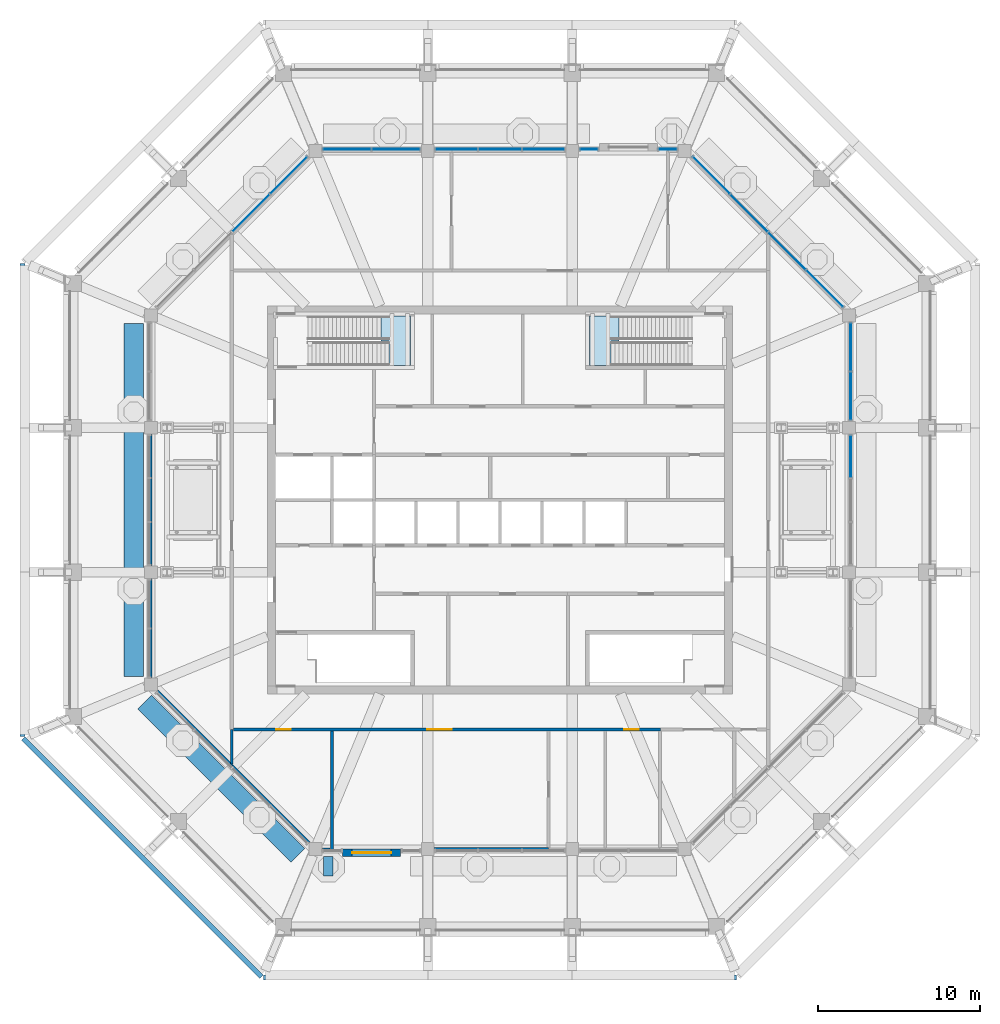
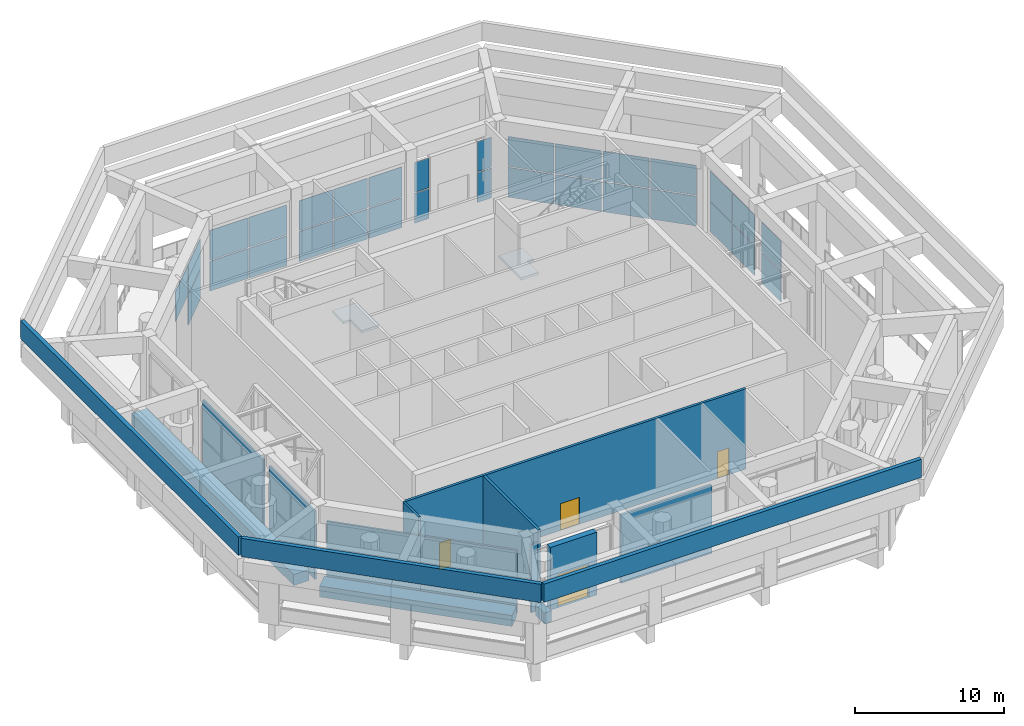
# One storey, part 13 of 29: 31 plates, 16 walls, 4 doors, 2 slabs, 4 openings, 10 elements without a shape of their own.
"""IFC4 building model written with IfcOpenShell, lengths in metres."""

from ifc_helpers import new_model, si_unit, direction, frame, frame_2d, origin, origin_2d, place, context, subcontext, project, spatial, polyline, rectangle, outline, extrude, material, layer, layer_set, type_object, element, fill, aggregate, save


model = new_model("IFC4")

# Units and contexts
model_context = context("Model", 3, precision=1e-05, world=origin(), true_north=direction((0.0, 1.0)))
body_context = subcontext(model_context, "Body", "Model", "MODEL_VIEW")
ifc_project = project(units=[si_unit("LENGTHUNIT", "METRE"), si_unit("AREAUNIT", "SQUARE_METRE"), si_unit("VOLUMEUNIT", "CUBIC_METRE"), si_unit("PLANEANGLEUNIT", "RADIAN"), si_unit("MASSUNIT", "GRAM", prefix="KILO")], contexts=[model_context])

# Site, building, storey
site_placement = place(None, origin())
site = spatial("IfcSite", under=ifc_project, at=site_placement, CompositionType="ELEMENT")
building_placement = place(site_placement, origin())
building = spatial("IfcBuilding", under=site, at=building_placement, Name="Msitu Wima Residences", CompositionType="ELEMENT")
storey_placement = place(building_placement, frame((0.0, 0.0, 320.10009765625)))
storey = spatial("IfcBuildingStorey", under=building, at=storey_placement, Name="L74", CompositionType="ELEMENT", Elevation=320.10009765625)

# Curtain wall, plates
ifc_material_1 = material(Name="Anodised aluminium, bronze finish, clear laminated double glazing", Category="aluminium")
curtain_wall_type = type_object("IfcCurtainWallType", Name="Curtain wall CW4 damper chamber wall", PredefinedType="NOTDEFINED", material=ifc_material_1)
curtain_wall_1_placement = place(storey_placement, origin())
curtain_wall_1 = element("IfcCurtainWall", 1, at=curtain_wall_1_placement, inside=storey, type_object=curtain_wall_type, Name="Curtain wall CW4 L74 CH-0b0", PredefinedType="NOTDEFINED")
ifc_material_2 = material(Name="Clear laminated double glazing", Category="glass")
ifc_layer_1 = layer(ifc_material_2, 0.0439453125)
ifc_layer_set_1 = layer_set([ifc_layer_1], Name="Clear laminated double glazing")
plate_type = type_object("IfcPlateType", Name="Glass panel CW4 44", PredefinedType="CURTAIN_PANEL", material=ifc_layer_set_1)
plate_1_placement = place(storey_placement, frame((21.699951171875, 2.691162109375, 0.0849609375), z_axis=(0.0, 0.0, 1.0), x_axis=(0.0, 1.0, 0.0)))
plate_1 = element("IfcPlate", 2, at=plate_1_placement, type_object=plate_type, Name="CW4 panel 3.1", PredefinedType="CURTAIN_PANEL", context=body_context, shape_type="SweptSolid", body=[
    extrude(rectangle(XDim=2.5849609375, YDim=0.0439453125, at=origin_2d()), origin(), (0.0, 0.0, 1.0), 2.447509765625),
])
plate_2_placement = place(storey_placement, frame((21.699951171875, 2.691162109375, 2.6171875), z_axis=(0.0, 0.0, 1.0), x_axis=(0.0, 1.0, 0.0)))
plate_2 = element("IfcPlate", 3, at=plate_2_placement, type_object=plate_type, Name="CW4 panel 3.2", PredefinedType="CURTAIN_PANEL", context=body_context, shape_type="SweptSolid", body=[
    extrude(rectangle(XDim=2.5849609375, YDim=0.0439453125, at=origin_2d()), origin(), (0.0, 0.0, 1.0), 2.447509765625),
])
aggregate(curtain_wall_1, [plate_1, plate_2])

curtain_wall_2_placement = place(storey_placement, origin())
curtain_wall_2 = element("IfcCurtainWall", 4, at=curtain_wall_2_placement, inside=storey, type_object=curtain_wall_type, Name="Curtain wall CW4 L74 CH-0c0", PredefinedType="NOTDEFINED")
plate_3_placement = place(storey_placement, frame((21.699951171875, 6.42724609375, 0.0849609375), z_axis=(0.0, 0.0, 1.0), x_axis=(0.0, 1.0, 0.0)))
plate_3 = element("IfcPlate", 5, at=plate_3_placement, type_object=plate_type, Name="CW4 panel 1.1", PredefinedType="CURTAIN_PANEL", context=body_context, shape_type="SweptSolid", body=[
    extrude(rectangle(XDim=2.947021484375, YDim=0.0439453125, at=origin_2d()), origin(), (0.0, 0.0, 1.0), 2.447509765625),
])
plate_4_placement = place(storey_placement, frame((21.699951171875, 6.42724609375, 2.6171875), z_axis=(0.0, 0.0, 1.0), x_axis=(0.0, 1.0, 0.0)))
plate_4 = element("IfcPlate", 6, at=plate_4_placement, type_object=plate_type, Name="CW4 panel 1.2", PredefinedType="CURTAIN_PANEL", context=body_context, shape_type="SweptSolid", body=[
    extrude(rectangle(XDim=2.947021484375, YDim=0.0439453125, at=origin_2d()), origin(), (0.0, 0.0, 1.0), 2.447509765625),
])
plate_5_placement = place(storey_placement, frame((21.699951171875, 9.459228515625, 0.0849609375), z_axis=(0.0, 0.0, 1.0), x_axis=(0.0, 1.0, 0.0)))
plate_5 = element("IfcPlate", 7, at=plate_5_placement, type_object=plate_type, Name="CW4 panel 2.1", PredefinedType="CURTAIN_PANEL", context=body_context, shape_type="SweptSolid", body=[
    extrude(rectangle(XDim=2.947021484375, YDim=0.0439453125, at=origin_2d()), origin(), (0.0, 0.0, 1.0), 2.447509765625),
])
plate_6_placement = place(storey_placement, frame((21.699951171875, 9.459228515625, 2.6171875), z_axis=(0.0, 0.0, 1.0), x_axis=(0.0, 1.0, 0.0)))
plate_6 = element("IfcPlate", 8, at=plate_6_placement, type_object=plate_type, Name="CW4 panel 2.2", PredefinedType="CURTAIN_PANEL", context=body_context, shape_type="SweptSolid", body=[
    extrude(rectangle(XDim=2.947021484375, YDim=0.0439453125, at=origin_2d()), origin(), (0.0, 0.0, 1.0), 2.447509765625),
])
aggregate(curtain_wall_2, [plate_3, plate_4, plate_5, plate_6])

curtain_wall_3_placement = place(storey_placement, origin())
curtain_wall_3 = element("IfcCurtainWall", 9, at=curtain_wall_3_placement, inside=storey, type_object=curtain_wall_type, Name="Curtain wall CW4 L74 CH-1a0", PredefinedType="NOTDEFINED")
plate_7_placement = place(storey_placement, frame((20.0830078125, 13.076171875, 0.0849609375), z_axis=(0.0, 0.0, 1.0), x_axis=(-0.707106781187, 0.707106781187, 0.0)))
plate_7 = element("IfcPlate", 10, at=plate_7_placement, type_object=plate_type, Name="CW4 panel 1.1", PredefinedType="CURTAIN_PANEL", context=body_context, shape_type="SweptSolid", body=[
    extrude(rectangle(XDim=3.189697265625, YDim=0.0439453125, at=origin_2d()), origin(), (0.0, 0.0, 1.0), 2.447509765625),
])
plate_8_placement = place(storey_placement, frame((20.0830078125, 13.076171875, 2.6171875), z_axis=(0.0, 0.0, 1.0), x_axis=(-0.707106781187, 0.707106781187, 0.0)))
plate_8 = element("IfcPlate", 11, at=plate_8_placement, type_object=plate_type, Name="CW4 panel 1.2", PredefinedType="CURTAIN_PANEL", context=body_context, shape_type="SweptSolid", body=[
    extrude(rectangle(XDim=3.189697265625, YDim=0.0439453125, at=origin_2d()), origin(), (0.0, 0.0, 1.0), 2.447509765625),
])
plate_9_placement = place(storey_placement, frame((17.75244140625, 15.40673828125, 0.0849609375), z_axis=(0.0, 0.0, 1.0), x_axis=(-0.707106781187, 0.707106781187, 0.0)))
plate_9 = element("IfcPlate", 12, at=plate_9_placement, type_object=plate_type, Name="CW4 panel 2.1", PredefinedType="CURTAIN_PANEL", context=body_context, shape_type="SweptSolid", body=[
    extrude(rectangle(XDim=3.232177734375, YDim=0.0439453125, at=origin_2d()), origin(), (0.0, 0.0, 1.0), 2.447509765625),
])
plate_10_placement = place(storey_placement, frame((17.75244140625, 15.40673828125, 2.6171875), z_axis=(0.0, 0.0, 1.0), x_axis=(-0.707106781187, 0.707106781187, 0.0)))
plate_10 = element("IfcPlate", 13, at=plate_10_placement, type_object=plate_type, Name="CW4 panel 2.2", PredefinedType="CURTAIN_PANEL", context=body_context, shape_type="SweptSolid", body=[
    extrude(rectangle(XDim=3.232177734375, YDim=0.0439453125, at=origin_2d()), origin(), (0.0, 0.0, 1.0), 2.447509765625),
])
plate_11_placement = place(storey_placement, frame((15.40673828125, 17.75244140625, 0.0849609375), z_axis=(0.0, 0.0, 1.0), x_axis=(-0.707106781187, 0.707106781187, 0.0)))
plate_11 = element("IfcPlate", 14, at=plate_11_placement, type_object=plate_type, Name="CW4 panel 3.1", PredefinedType="CURTAIN_PANEL", context=body_context, shape_type="SweptSolid", body=[
    extrude(rectangle(XDim=3.232177734375, YDim=0.0439453125, at=origin_2d()), origin(), (0.0, 0.0, 1.0), 2.447509765625),
])
plate_12_placement = place(storey_placement, frame((15.40673828125, 17.75244140625, 2.6171875), z_axis=(0.0, 0.0, 1.0), x_axis=(-0.707106781187, 0.707106781187, 0.0)))
plate_12 = element("IfcPlate", 15, at=plate_12_placement, type_object=plate_type, Name="CW4 panel 3.2", PredefinedType="CURTAIN_PANEL", context=body_context, shape_type="SweptSolid", body=[
    extrude(rectangle(XDim=3.232177734375, YDim=0.0439453125, at=origin_2d()), origin(), (0.0, 0.0, 1.0), 2.447509765625),
])
plate_13_placement = place(storey_placement, frame((13.076171875, 20.0830078125, 0.0849609375), z_axis=(0.0, 0.0, 1.0), x_axis=(-0.707106781187, 0.707106781187, 0.0)))
plate_13 = element("IfcPlate", 16, at=plate_13_placement, type_object=plate_type, Name="CW4 panel 4.1", PredefinedType="CURTAIN_PANEL", context=body_context, shape_type="SweptSolid", body=[
    extrude(rectangle(XDim=3.189697265625, YDim=0.0439453125, at=origin_2d()), origin(), (0.0, 0.0, 1.0), 2.447509765625),
])
plate_14_placement = place(storey_placement, frame((13.076171875, 20.0830078125, 2.6171875), z_axis=(0.0, 0.0, 1.0), x_axis=(-0.707106781187, 0.707106781187, 0.0)))
plate_14 = element("IfcPlate", 17, at=plate_14_placement, type_object=plate_type, Name="CW4 panel 4.2", PredefinedType="CURTAIN_PANEL", context=body_context, shape_type="SweptSolid", body=[
    extrude(rectangle(XDim=3.189697265625, YDim=0.0439453125, at=origin_2d()), origin(), (0.0, 0.0, 1.0), 2.447509765625),
])
aggregate(curtain_wall_3, [plate_7, plate_8, plate_9, plate_10, plate_11, plate_12, plate_13, plate_14])

curtain_wall_4_placement = place(storey_placement, origin())
curtain_wall_4 = element("IfcCurtainWall", 18, at=curtain_wall_4_placement, inside=storey, type_object=curtain_wall_type, Name="Curtain wall CW4 L74 CH-2a0", PredefinedType="NOTDEFINED")
plate_15_placement = place(storey_placement, frame((10.38037109375, 21.699951171875, 0.0849609375), z_axis=(0.0, 0.0, 1.0), x_axis=(-1.0, 0.0, 0.0)))
plate_15 = element("IfcPlate", 19, at=plate_15_placement, type_object=plate_type, Name="CW4 panel 1.1", PredefinedType="CURTAIN_PANEL", context=body_context, shape_type="SweptSolid", body=[
    extrude(rectangle(XDim=1.1044921875, YDim=0.0439453125, at=origin_2d()), origin(), (0.0, 0.0, 1.0), 2.447509765625),
])
plate_16_placement = place(storey_placement, frame((10.38037109375, 21.699951171875, 2.6171875), z_axis=(0.0, 0.0, 1.0), x_axis=(-1.0, 0.0, 0.0)))
plate_16 = element("IfcPlate", 20, at=plate_16_placement, type_object=plate_type, Name="CW4 panel 1.2", PredefinedType="CURTAIN_PANEL", context=body_context, shape_type="SweptSolid", body=[
    extrude(rectangle(XDim=1.1044921875, YDim=0.0439453125, at=origin_2d()), origin(), (0.0, 0.0, 1.0), 2.447509765625),
])
aggregate(curtain_wall_4, [plate_15, plate_16])

curtain_wall_5_placement = place(storey_placement, origin())
curtain_wall_5 = element("IfcCurtainWall", 21, at=curtain_wall_5_placement, inside=storey, type_object=curtain_wall_type, Name="Curtain wall CW4 L74 CH-2a2", PredefinedType="NOTDEFINED")
plate_17_placement = place(storey_placement, frame((5.505859375, 21.699951171875, 0.0849609375), z_axis=(0.0, 0.0, 1.0), x_axis=(-1.0, 0.0, 0.0)))
plate_17 = element("IfcPlate", 22, at=plate_17_placement, type_object=plate_type, Name="CW4 panel 1.1", PredefinedType="CURTAIN_PANEL", context=body_context, shape_type="SweptSolid", body=[
    extrude(rectangle(XDim=1.1044921875, YDim=0.0439453125, at=origin_2d()), origin(), (0.0, 0.0, 1.0), 2.447509765625),
])
plate_18_placement = place(storey_placement, frame((5.505859375, 21.699951171875, 2.6171875), z_axis=(0.0, 0.0, 1.0), x_axis=(-1.0, 0.0, 0.0)))
plate_18 = element("IfcPlate", 23, at=plate_18_placement, type_object=plate_type, Name="CW4 panel 1.2", PredefinedType="CURTAIN_PANEL", context=body_context, shape_type="SweptSolid", body=[
    extrude(rectangle(XDim=1.1044921875, YDim=0.0439453125, at=origin_2d()), origin(), (0.0, 0.0, 1.0), 2.447509765625),
])
aggregate(curtain_wall_5, [plate_17, plate_18])

curtain_wall_6_placement = place(storey_placement, origin())
curtain_wall_6 = element("IfcCurtainWall", 24, at=curtain_wall_6_placement, inside=storey, type_object=curtain_wall_type, Name="Curtain wall CW4 L74 CH-2b0", PredefinedType="NOTDEFINED")
plate_19_placement = place(storey_placement, frame((2.691162109375, 21.699951171875, 0.0849609375), z_axis=(0.0, 0.0, 1.0), x_axis=(-1.0, 0.0, 0.0)))
plate_19 = element("IfcPlate", 25, at=plate_19_placement, type_object=plate_type, Name="CW4 panel 1.1", PredefinedType="CURTAIN_PANEL", context=body_context, shape_type="SweptSolid", body=[
    extrude(rectangle(XDim=2.5849609375, YDim=0.0439453125, at=origin_2d()), origin(), (0.0, 0.0, 1.0), 2.447509765625),
])
plate_20_placement = place(storey_placement, frame((2.691162109375, 21.699951171875, 2.6171875), z_axis=(0.0, 0.0, 1.0), x_axis=(-1.0, 0.0, 0.0)))
plate_20 = element("IfcPlate", 26, at=plate_20_placement, type_object=plate_type, Name="CW4 panel 1.2", PredefinedType="CURTAIN_PANEL", context=body_context, shape_type="SweptSolid", body=[
    extrude(rectangle(XDim=2.5849609375, YDim=0.0439453125, at=origin_2d()), origin(), (0.0, 0.0, 1.0), 2.447509765625),
])
plate_21_placement = place(storey_placement, frame((0.0, 21.699951171875, 0.0849609375), z_axis=(0.0, 0.0, 1.0), x_axis=(-1.0, 0.0, 0.0)))
plate_21 = element("IfcPlate", 27, at=plate_21_placement, type_object=plate_type, Name="CW4 panel 2.1", PredefinedType="CURTAIN_PANEL", context=body_context, shape_type="SweptSolid", body=[
    extrude(rectangle(XDim=2.62744140625, YDim=0.0439453125, at=origin_2d()), origin(), (0.0, 0.0, 1.0), 2.447509765625),
])
plate_22_placement = place(storey_placement, frame((0.0, 21.699951171875, 2.6171875), z_axis=(0.0, 0.0, 1.0), x_axis=(-1.0, 0.0, 0.0)))
plate_22 = element("IfcPlate", 28, at=plate_22_placement, type_object=plate_type, Name="CW4 panel 2.2", PredefinedType="CURTAIN_PANEL", context=body_context, shape_type="SweptSolid", body=[
    extrude(rectangle(XDim=2.62744140625, YDim=0.0439453125, at=origin_2d()), origin(), (0.0, 0.0, 1.0), 2.447509765625),
])
plate_23_placement = place(storey_placement, frame((-2.691162109375, 21.699951171875, 0.0849609375), z_axis=(0.0, 0.0, 1.0), x_axis=(-1.0, 0.0, 0.0)))
plate_23 = element("IfcPlate", 29, at=plate_23_placement, type_object=plate_type, Name="CW4 panel 3.1", PredefinedType="CURTAIN_PANEL", context=body_context, shape_type="SweptSolid", body=[
    extrude(rectangle(XDim=2.5849609375, YDim=0.0439453125, at=origin_2d()), origin(), (0.0, 0.0, 1.0), 2.447509765625),
])
plate_24_placement = place(storey_placement, frame((-2.691162109375, 21.699951171875, 2.6171875), z_axis=(0.0, 0.0, 1.0), x_axis=(-1.0, 0.0, 0.0)))
plate_24 = element("IfcPlate", 30, at=plate_24_placement, type_object=plate_type, Name="CW4 panel 3.2", PredefinedType="CURTAIN_PANEL", context=body_context, shape_type="SweptSolid", body=[
    extrude(rectangle(XDim=2.5849609375, YDim=0.0439453125, at=origin_2d()), origin(), (0.0, 0.0, 1.0), 2.447509765625),
])
aggregate(curtain_wall_6, [plate_19, plate_20, plate_21, plate_22, plate_23, plate_24])

curtain_wall_7_placement = place(storey_placement, origin())
curtain_wall_7 = element("IfcCurtainWall", 31, at=curtain_wall_7_placement, inside=storey, type_object=curtain_wall_type, Name="Curtain wall CW4 L74 CH-2c0", PredefinedType="NOTDEFINED")
plate_25_placement = place(storey_placement, frame((-6.42724609375, 21.699951171875, 0.0849609375), z_axis=(0.0, 0.0, 1.0), x_axis=(-1.0, 0.0, 0.0)))
plate_25 = element("IfcPlate", 32, at=plate_25_placement, type_object=plate_type, Name="CW4 panel 1.1", PredefinedType="CURTAIN_PANEL", context=body_context, shape_type="SweptSolid", body=[
    extrude(rectangle(XDim=2.947021484375, YDim=0.0439453125, at=origin_2d()), origin(), (0.0, 0.0, 1.0), 2.447509765625),
])
plate_26_placement = place(storey_placement, frame((-6.42724609375, 21.699951171875, 2.6171875), z_axis=(0.0, 0.0, 1.0), x_axis=(-1.0, 0.0, 0.0)))
plate_26 = element("IfcPlate", 33, at=plate_26_placement, type_object=plate_type, Name="CW4 panel 1.2", PredefinedType="CURTAIN_PANEL", context=body_context, shape_type="SweptSolid", body=[
    extrude(rectangle(XDim=2.947021484375, YDim=0.0439453125, at=origin_2d()), origin(), (0.0, 0.0, 1.0), 2.447509765625),
])
plate_27_placement = place(storey_placement, frame((-9.459228515625, 21.699951171875, 0.0849609375), z_axis=(0.0, 0.0, 1.0), x_axis=(-1.0, 0.0, 0.0)))
plate_27 = element("IfcPlate", 34, at=plate_27_placement, type_object=plate_type, Name="CW4 panel 2.1", PredefinedType="CURTAIN_PANEL", context=body_context, shape_type="SweptSolid", body=[
    extrude(rectangle(XDim=2.947021484375, YDim=0.0439453125, at=origin_2d()), origin(), (0.0, 0.0, 1.0), 2.447509765625),
])
plate_28_placement = place(storey_placement, frame((-9.459228515625, 21.699951171875, 2.6171875), z_axis=(0.0, 0.0, 1.0), x_axis=(-1.0, 0.0, 0.0)))
plate_28 = element("IfcPlate", 35, at=plate_28_placement, type_object=plate_type, Name="CW4 panel 2.2", PredefinedType="CURTAIN_PANEL", context=body_context, shape_type="SweptSolid", body=[
    extrude(rectangle(XDim=2.947021484375, YDim=0.0439453125, at=origin_2d()), origin(), (0.0, 0.0, 1.0), 2.447509765625),
])
aggregate(curtain_wall_7, [plate_25, plate_26, plate_27, plate_28])

curtain_wall_8_placement = place(storey_placement, origin())
curtain_wall_8 = element("IfcCurtainWall", 36, at=curtain_wall_8_placement, inside=storey, type_object=curtain_wall_type, Name="Curtain wall CW4 L74 CH-3a0", PredefinedType="NOTDEFINED")
plate_29_placement = place(storey_placement, frame((-13.076171875, 20.0830078125, 0.0849609375), z_axis=(0.0, 0.0, 1.0), x_axis=(-0.707106781187, -0.707106781187, 0.0)))
plate_29 = element("IfcPlate", 37, at=plate_29_placement, type_object=plate_type, Name="CW4 panel 1.1", PredefinedType="CURTAIN_PANEL", context=body_context, shape_type="SweptSolid", body=[
    extrude(rectangle(XDim=3.189697265625, YDim=0.0439453125, at=origin_2d()), origin(), (0.0, 0.0, 1.0), 2.447509765625),
])
plate_30_placement = place(storey_placement, frame((-13.076171875, 20.0830078125, 2.6171875), z_axis=(0.0, 0.0, 1.0), x_axis=(-0.707106781187, -0.707106781187, 0.0)))
plate_30 = element("IfcPlate", 38, at=plate_30_placement, type_object=plate_type, Name="CW4 panel 1.2", PredefinedType="CURTAIN_PANEL", context=body_context, shape_type="SweptSolid", body=[
    extrude(rectangle(XDim=3.189697265625, YDim=0.0439453125, at=origin_2d()), origin(), (0.0, 0.0, 1.0), 2.447509765625),
])
plate_31_placement = place(storey_placement, frame((-15.40673828125, 17.75244140625, 2.6171875), z_axis=(0.0, 0.0, 1.0), x_axis=(-0.707106781187, -0.707106781187, 0.0)))
plate_31 = element("IfcPlate", 39, at=plate_31_placement, type_object=plate_type, Name="CW4 panel 2.2", PredefinedType="CURTAIN_PANEL", context=body_context, shape_type="SweptSolid", body=[
    extrude(rectangle(XDim=3.232177734375, YDim=0.0439453125, at=origin_2d()), origin(), (0.0, 0.0, 1.0), 2.447509765625),
])
aggregate(curtain_wall_8, [plate_29, plate_30, plate_31])

# Stair, slab
ifc_material_3 = material(Name="Concrete C40/50", Category="concrete")
stair_type = type_object("IfcStairType", Name="Exit stair ES1667-145", PredefinedType="HALF_TURN_STAIR", material=ifc_material_3)
stair_1_placement = place(storey_placement, origin())
stair_1 = element("IfcStair", 40, at=stair_1_placement, inside=storey, type_object=stair_type, Name="Exit stair 1", PredefinedType="HALF_TURN_STAIR")
ifc_layer_2 = layer(ifc_material_3, 0.199951171875)
ifc_layer_set_2 = layer_set([ifc_layer_2], Name="Concrete C40/50")
slab_type = type_object("IfcSlabType", Name="Stair landing SL200", PredefinedType="LANDING", material=ifc_layer_set_2)
slab_1_placement = place(storey_placement, frame((0.0, 0.0, 3.2998046875)))
slab_1 = element("IfcSlab", 41, at=slab_1_placement, type_object=slab_type, Name="S1 landing 1", PredefinedType="LANDING", context=body_context, shape_type="SweptSolid", body=[
    extrude(outline(polyline([(-5.52490234375, 8.324951171875), (-6.87548828125, 8.324951171875), (-6.87548828125, 9.85009765625), (-7.375, 9.85009765625), (-7.375, 11.375), (-5.52490234375, 11.375), (-5.52490234375, 8.324951171875)])), origin(), (0.0, 0.0, 1.0), 0.2001953125),
])
aggregate(stair_1, [slab_1])

stair_2_placement = place(storey_placement, origin())
stair_2 = element("IfcStair", 42, at=stair_2_placement, inside=storey, type_object=stair_type, Name="Exit stair 3", PredefinedType="HALF_TURN_STAIR")
slab_2_placement = place(storey_placement, frame((0.0, 0.0, 3.2998046875)))
slab_2 = element("IfcSlab", 43, at=slab_2_placement, type_object=slab_type, Name="S3 landing 1", PredefinedType="LANDING", context=body_context, shape_type="SweptSolid", body=[
    extrude(outline(polyline([(5.52490234375, 8.324951171875), (6.87548828125, 8.324951171875), (6.87548828125, 9.85009765625), (7.375, 9.85009765625), (7.375, 11.375), (5.52490234375, 11.375), (5.52490234375, 8.324951171875)])), origin(), (0.0, 0.0, 1.0), 0.2001953125),
])
aggregate(stair_2, [slab_2])

# Wall, opening, door
ifc_material_4 = material(Name="Brick (red buff mix)", Category="masonry")
ifc_layer_3 = layer(ifc_material_4, 0.449951171875)
ifc_layer_set_3 = layer_set([ifc_layer_3], Name="Brick (red buff mix)")
wall_type_1 = type_object("IfcWallType", Name="Chamber door wall BW450", PredefinedType="SOLIDWALL", material=ifc_layer_set_3)
wall_1_placement = place(storey_placement, frame((-9.7431640625, -21.824951171875, 0.0), z_axis=(0.0, 0.0, 1.0), x_axis=(1.0, 0.0, 0.0)))
wall_1 = element("IfcWall", 44, at=wall_1_placement, inside=storey, type_object=wall_type_1, Name="Chamber door wall CH-6a1", PredefinedType="SOLIDWALL", context=body_context, shape_type="SweptSolid", body=[
    extrude(rectangle(XDim=3.60009765625, YDim=0.449951171875, at=frame_2d((1.800048828125, 0.0))), origin(), (0.0, 0.0, 1.0), 5.14990234375),
])
opening_1_placement = place(wall_1_placement, frame((0.60009765625, 0.0, 0.0)))
opening_1 = element("IfcOpeningElement", 45, at=opening_1_placement, cuts=wall_1, Name="Opening D74.002", PredefinedType="OPENING", context=body_context, shape_type="SweptSolid", body=[
    extrude(rectangle(XDim=2.39990234375, YDim=2.699951171875, at=frame_2d((1.199951171875, 1.35009765625))), frame((0.0, 0.23486328125, 0.0), z_axis=(0.0, -1.0, 0.0), x_axis=(1.0, 0.0, 0.0)), (0.0, 0.0, 1.0), 0.469970703125),
])
door_type_1 = type_object("IfcDoorType", Name="Deck door D2400x2700", OperationType="SLIDING_TO_LEFT", PredefinedType="DOOR", material=ifc_material_1)
door_1_placement = place(opening_1_placement, origin())
door_1 = element("IfcDoor", 46, at=door_1_placement, inside=storey, type_object=door_type_1, Name="Deck door CH-6a1", OperationType="SINGLE_SWING_LEFT", OverallHeight=2.699951171875, OverallWidth=2.39990234375, PredefinedType="DOOR", context=body_context, shape_type="SweptSolid", body=[
    extrude(rectangle(XDim=2.39990234375, YDim=2.699951171875, at=frame_2d((1.199951171875, 1.35009765625))), frame((0.0, 0.02490234375, 0.0), z_axis=(0.0, -1.0, 0.0), x_axis=(1.0, 0.0, 0.0)), (0.0, 0.0, 1.0), 0.050048828125),
])
fill(opening_1, door_1)

# Wall, openings, doors
ifc_material_5 = material(Name="Plaster")
ifc_layer_4 = layer(ifc_material_5, 0.011962890625, Name="Plaster")
ifc_material_6 = material(Name="Concrete blockwork", Category="masonry")
ifc_layer_5 = layer(ifc_material_6, 0.176025390625, Name="Concrete blockwork")
ifc_layer_6 = layer(ifc_material_5, 0.011962890625, Name="Plaster")
ifc_layer_set_4 = layer_set([ifc_layer_4, ifc_layer_5, ifc_layer_6], Name="Concrete blockwork")
wall_type_2 = type_object("IfcWallType", Name="Corridor wall FW200", PredefinedType="PARTITIONING", material=ifc_layer_set_4)
wall_2_placement = place(storey_placement, frame((-16.5, -14.199951171875, 0.0), z_axis=(0.0, 0.0, 1.0), x_axis=(1.0, 0.0, 0.0)))
wall_2 = element("IfcWall", 47, at=wall_2_placement, inside=storey, type_object=wall_type_2, Name="Corridor wall", PredefinedType="PARTITIONING", context=body_context, shape_type="SweptSolid", body=[
    extrude(rectangle(XDim=26.419921875, YDim=0.199951171875, at=frame_2d((13.2099609375, 0.0))), origin(), (0.0, 0.0, 1.0), 6.599853515625),
])
opening_2_placement = place(wall_2_placement, frame((12.0, 0.0, 0.0)))
opening_2 = element("IfcOpeningElement", 48, at=opening_2_placement, cuts=wall_2, Name="Opening D74.020", PredefinedType="OPENING", context=body_context, shape_type="SweptSolid", body=[
    extrude(rectangle(XDim=1.5, YDim=2.199951171875, at=frame_2d((0.75, 1.10009765625))), frame((0.0, 0.10986328125, 0.0), z_axis=(0.0, -1.0, 0.0), x_axis=(1.0, 0.0, 0.0)), (0.0, 0.0, 1.0), 0.219970703125),
])
opening_3_placement = place(wall_2_placement, frame((2.64990234375, 0.0, 0.0)))
opening_3 = element("IfcOpeningElement", 49, at=opening_3_placement, cuts=wall_2, Name="Opening D74.027", PredefinedType="OPENING", context=body_context, shape_type="SweptSolid", body=[
    extrude(rectangle(XDim=0.89990234375, YDim=2.199951171875, at=frame_2d((0.449951171875, 1.10009765625))), frame((0.0, 0.10986328125, 0.0), z_axis=(0.0, -1.0, 0.0), x_axis=(1.0, 0.0, 0.0)), (0.0, 0.0, 1.0), 0.219970703125),
])
opening_4_placement = place(wall_2_placement, frame((24.199951171875, 0.0, 0.0)))
opening_4 = element("IfcOpeningElement", 50, at=opening_4_placement, cuts=wall_2, Name="Opening D74.029", PredefinedType="OPENING", context=body_context, shape_type="SweptSolid", body=[
    extrude(rectangle(XDim=0.89990234375, YDim=2.199951171875, at=frame_2d((0.449951171875, 1.10009765625))), frame((0.0, 0.10986328125, 0.0), z_axis=(0.0, -1.0, 0.0), x_axis=(1.0, 0.0, 0.0)), (0.0, 0.0, 1.0), 0.219970703125),
])
ifc_material_7 = material(Name="Timber flush door, moisture resistant", Category="wood")
door_type_2 = type_object("IfcDoorType", Name="Bathroom door D03 900x2200", OperationType="SINGLE_SWING_LEFT", PredefinedType="DOOR", material=ifc_material_7)
door_2_placement = place(opening_3_placement, origin())
door_2 = element("IfcDoor", 51, at=door_2_placement, inside=storey, type_object=door_type_2, Name="Bathroom door", OperationType="SINGLE_SWING_LEFT", OverallHeight=2.199951171875, OverallWidth=0.89990234375, PredefinedType="DOOR", context=body_context, shape_type="SweptSolid", body=[
    extrude(rectangle(XDim=0.89990234375, YDim=2.199951171875, at=frame_2d((0.449951171875, 1.10009765625))), frame((0.0, 0.02490234375, 0.0), z_axis=(0.0, -1.0, 0.0), x_axis=(1.0, 0.0, 0.0)), (0.0, 0.0, 1.0), 0.050048828125),
])
fill(opening_3, door_2)
door_3_placement = place(opening_4_placement, origin())
door_3 = element("IfcDoor", 52, at=door_3_placement, inside=storey, type_object=door_type_2, Name="Bathroom door", OperationType="SINGLE_SWING_RIGHT", OverallHeight=2.199951171875, OverallWidth=0.89990234375, PredefinedType="DOOR", context=body_context, shape_type="SweptSolid", body=[
    extrude(rectangle(XDim=0.89990234375, YDim=2.199951171875, at=frame_2d((0.449951171875, 1.10009765625))), frame((0.0, 0.02490234375, 0.0), z_axis=(0.0, -1.0, 0.0), x_axis=(1.0, 0.0, 0.0)), (0.0, 0.0, 1.0), 0.050048828125),
])
fill(opening_4, door_3)
ifc_material_8 = material(Name="Timber double door", Category="wood")
door_type_3 = type_object("IfcDoorType", Name="Double door D04 1500x2200", OperationType="DOUBLE_DOOR_SINGLE_SWING", PredefinedType="DOOR", material=ifc_material_8)
door_4_placement = place(opening_2_placement, origin())
door_4 = element("IfcDoor", 53, at=door_4_placement, inside=storey, type_object=door_type_3, Name="Double door", OperationType="DOUBLE_DOOR_SINGLE_SWING", OverallHeight=2.199951171875, OverallWidth=1.5, PredefinedType="DOOR", context=body_context, shape_type="SweptSolid", body=[
    extrude(rectangle(XDim=1.5, YDim=2.199951171875, at=frame_2d((0.75, 1.10009765625))), frame((0.0, 0.02490234375, 0.0), z_axis=(0.0, -1.0, 0.0), x_axis=(1.0, 0.0, 0.0)), (0.0, 0.0, 1.0), 0.050048828125),
])
fill(opening_2, door_4)

# Walls
wall_3_placement = place(storey_placement, frame((-10.39990234375, -21.675048828125, 0.0), z_axis=(0.0, 0.0, 1.0), x_axis=(0.0, 1.0, 0.0)))
element("IfcWall", 54, at=wall_3_placement, inside=storey, type_object=wall_type_2, Name="Corridor wall", PredefinedType="PARTITIONING", context=body_context, shape_type="SweptSolid", body=[
    extrude(rectangle(XDim=7.375, YDim=0.199951171875, at=frame_2d((3.6875, 0.0))), origin(), (0.0, 0.0, 1.0), 6.599853515625),
])
wall_4_placement = place(storey_placement, frame((-4.068603515625, -21.60009765625, 0.0), z_axis=(0.0, 0.0, 1.0), x_axis=(1.0, 0.0, 0.0)))
element("IfcWall", 55, at=wall_4_placement, inside=storey, type_object=wall_type_2, Name="Corridor wall", PredefinedType="PARTITIONING", context=body_context, shape_type="SweptSolid", body=[
    extrude(rectangle(XDim=7.068603515625, YDim=0.199951171875, at=frame_2d((3.5341796875, 0.0))), origin(), (0.0, 0.0, 1.0), 5.599853515625),
])
ifc_material_9 = material(Name="Facing brick")
ifc_layer_7 = layer(ifc_material_9, 0.06494140625, Name="Facing brick")
ifc_layer_8 = layer(ifc_material_3, 0.531005859375, Name="Concrete C40/50")
ifc_material_10 = material(Name="Waterproofing membrane")
ifc_layer_9 = layer(ifc_material_10, 0.00390625, Name="Waterproofing membrane")
ifc_material_11 = material(Name="Planting soil and planting")
ifc_layer_10 = layer(ifc_material_11, 0.60009765625, Name="Planting soil and planting")
ifc_layer_set_5 = layer_set([ifc_layer_7, ifc_layer_8, ifc_layer_9, ifc_layer_10], Name="Concrete C40/50")
wall_type_3 = type_object("IfcWallType", Name="Deck planter PLANTER PL1200", PredefinedType="USERDEFINED", material=ifc_layer_set_5)
wall_5_placement = place(storey_placement, frame((-22.64990234375, 10.920654296875, 0.0), z_axis=(0.0, 0.0, 1.0), x_axis=(0.0, -1.0, 0.0)))
element("IfcWall", 56, at=wall_5_placement, inside=storey, type_object=wall_type_3, Name="Deck planter 5a", ObjectType="PLANTER", PredefinedType="USERDEFINED", context=body_context, shape_type="SweptSolid", body=[
    extrude(rectangle(XDim=21.84130859375, YDim=1.199951171875, at=frame_2d((10.920654296875, 0.0))), origin(), (0.0, 0.0, 1.0), 0.89990234375),
])
wall_6_placement = place(storey_placement, frame((-21.990966796875, -12.511474609375, 0.0), z_axis=(0.0, 0.0, 1.0), x_axis=(0.707106781187, -0.707106781187, 0.0)))
element("IfcWall", 57, at=wall_6_placement, inside=storey, type_object=wall_type_3, Name="Deck planter 6a", ObjectType="PLANTER", PredefinedType="USERDEFINED", context=body_context, shape_type="SweptSolid", body=[
    extrude(rectangle(XDim=13.406005859375, YDim=1.199951171875, at=frame_2d((6.703125, 0.0))), origin(), (0.0, 0.0, 1.0), 0.89990234375),
])
wall_7_placement = place(storey_placement, frame((-10.920654296875, -22.64990234375, 0.0), z_axis=(0.0, 0.0, 1.0), x_axis=(1.0, 0.0, 0.0)))
element("IfcWall", 58, at=wall_7_placement, inside=storey, type_object=wall_type_3, Name="Deck planter 7a", ObjectType="PLANTER", PredefinedType="USERDEFINED", context=body_context, shape_type="SweptSolid", body=[
    extrude(rectangle(XDim=0.58056640625, YDim=1.199951171875, at=frame_2d((0.290283203125, 0.0))), origin(), (0.0, 0.0, 1.0), 0.89990234375),
])
ifc_layer_11 = layer(ifc_material_5, 0.011962890625, Name="Plaster")
ifc_layer_12 = layer(ifc_material_6, 0.1259765625, Name="Concrete blockwork")
ifc_layer_13 = layer(ifc_material_5, 0.011962890625, Name="Plaster")
ifc_layer_set_6 = layer_set([ifc_layer_11, ifc_layer_12, ifc_layer_13], Name="Concrete blockwork")
wall_type_4 = type_object("IfcWallType", Name="Partition PW150", PredefinedType="PARTITIONING", material=ifc_layer_set_6)
wall_8_placement = place(storey_placement, frame((-21.60009765625, -11.017578125, 0.0), z_axis=(0.0, 0.0, 1.0), x_axis=(0.0, 1.0, 0.0)))
element("IfcWall", 59, at=wall_8_placement, inside=storey, type_object=wall_type_4, Name="Partition", PredefinedType="PARTITIONING", context=body_context, shape_type="SweptSolid", body=[
    extrude(rectangle(XDim=6.14892578125, YDim=0.14990234375, at=frame_2d((3.074462890625, 0.0))), origin(), (0.0, 0.0, 1.0), 5.599853515625),
])
wall_9_placement = place(storey_placement, frame((-21.60009765625, -4.068603515625, 0.0), z_axis=(0.0, 0.0, 1.0), x_axis=(0.0, 1.0, 0.0)))
element("IfcWall", 60, at=wall_9_placement, inside=storey, type_object=wall_type_4, Name="Partition", PredefinedType="PARTITIONING", context=body_context, shape_type="SweptSolid", body=[
    extrude(rectangle(XDim=8.13720703125, YDim=0.14990234375, at=frame_2d((4.068603515625, 0.0))), origin(), (0.0, 0.0, 1.0), 5.599853515625),
])
wall_10_placement = place(storey_placement, frame((-21.199951171875, -11.817626953125, 0.0), z_axis=(0.0, 0.0, 1.0), x_axis=(0.707088073916, -0.707125487963, 0.0)))
element("IfcWall", 61, at=wall_10_placement, inside=storey, type_object=wall_type_4, Name="Partition", PredefinedType="PARTITIONING", context=body_context, shape_type="SweptSolid", body=[
    extrude(rectangle(XDim=6.525390625, YDim=0.14990234375, at=frame_2d((3.2626953125, 0.0))), origin(), (0.0, 0.0, 1.0), 5.14990234375),
])
wall_11_placement = place(storey_placement, frame((-16.60009765625, -16.3427734375, 0.0), z_axis=(0.0, 0.0, 1.0), x_axis=(0.0, 1.0, 0.0)))
element("IfcWall", 62, at=wall_11_placement, inside=storey, type_object=wall_type_4, Name="Partition", PredefinedType="PARTITIONING", context=body_context, shape_type="SweptSolid", body=[
    extrude(rectangle(XDim=2.142822265625, YDim=0.14990234375, at=frame_2d((1.0712890625, 0.0))), origin(), (0.0, 0.0, 1.0), 6.599853515625),
])
wall_12_placement = place(storey_placement, frame((-16.5859375, -16.431884765625, 0.0), z_axis=(0.0, 0.0, 1.0), x_axis=(0.707124883584, -0.707088678326, 0.0)))
element("IfcWall", 63, at=wall_12_placement, inside=storey, type_object=wall_type_4, Name="Partition", PredefinedType="PARTITIONING", context=body_context, shape_type="SweptSolid", body=[
    extrude(rectangle(XDim=6.7431640625, YDim=0.14990234375, at=frame_2d((3.37158203125, 0.0))), origin(), (0.0, 0.0, 1.0), 5.14990234375),
])
wall_13_placement = place(storey_placement, frame((-11.017578125, -21.60009765625, 0.0), z_axis=(0.0, 0.0, 1.0), x_axis=(1.0, 0.0, 0.0)))
element("IfcWall", 64, at=wall_13_placement, inside=storey, type_object=wall_type_4, Name="Partition", PredefinedType="PARTITIONING", context=body_context, shape_type="SweptSolid", body=[
    extrude(rectangle(XDim=0.49755859375, YDim=0.14990234375, at=frame_2d((0.248779296875, 0.0))), origin(), (0.0, 0.0, 1.0), 5.599853515625),
])
ifc_layer_14 = layer(ifc_material_9, 0.06494140625, Name="Facing brick")
ifc_layer_15 = layer(ifc_material_3, 0.235107421875, Name="Concrete C40/50")
ifc_layer_set_7 = layer_set([ifc_layer_14, ifc_layer_15], Name="Concrete C40/50")
wall_type_5 = type_object("IfcWallType", Name="Roof parapet PA300", PredefinedType="PARAPET", material=ifc_layer_set_7)
wall_14_placement = place(storey_placement, frame((14.6484375, -29.550048828125, 7.0), z_axis=(0.0, 0.0, 1.0), x_axis=(-1.0, 0.0, 0.0)))
element("IfcWall", 65, at=wall_14_placement, inside=storey, type_object=wall_type_5, Name="Roof parapet 1", PredefinedType="PARAPET", context=body_context, shape_type="SweptSolid", body=[
    extrude(rectangle(XDim=29.296875, YDim=0.300048828125, at=frame_2d((14.6484375, 0.0))), origin(), (0.0, 0.0, 1.0), 1.5),
])
wall_15_placement = place(storey_placement, frame((-14.754638671875, -29.506103515625, 7.0), z_axis=(0.0, 0.0, 1.0), x_axis=(-0.707106781187, 0.707106781187, 0.0)))
element("IfcWall", 66, at=wall_15_placement, inside=storey, type_object=wall_type_5, Name="Roof parapet 2", PredefinedType="PARAPET", context=body_context, shape_type="SweptSolid", body=[
    extrude(rectangle(XDim=20.86181640625, YDim=0.300048828125, at=frame_2d((10.430908203125, 0.0))), origin(), (0.0, 0.0, 1.0), 1.5),
])
wall_16_placement = place(storey_placement, frame((-29.550048828125, -14.6484375, 7.0), z_axis=(0.0, 0.0, 1.0), x_axis=(0.0, 1.0, 0.0)))
element("IfcWall", 67, at=wall_16_placement, inside=storey, type_object=wall_type_5, Name="Roof parapet 3", PredefinedType="PARAPET", context=body_context, shape_type="SweptSolid", body=[
    extrude(rectangle(XDim=29.296875, YDim=0.300048828125, at=frame_2d((14.6484375, 0.0))), origin(), (0.0, 0.0, 1.0), 1.5),
])

save(model, "model.ifc")
